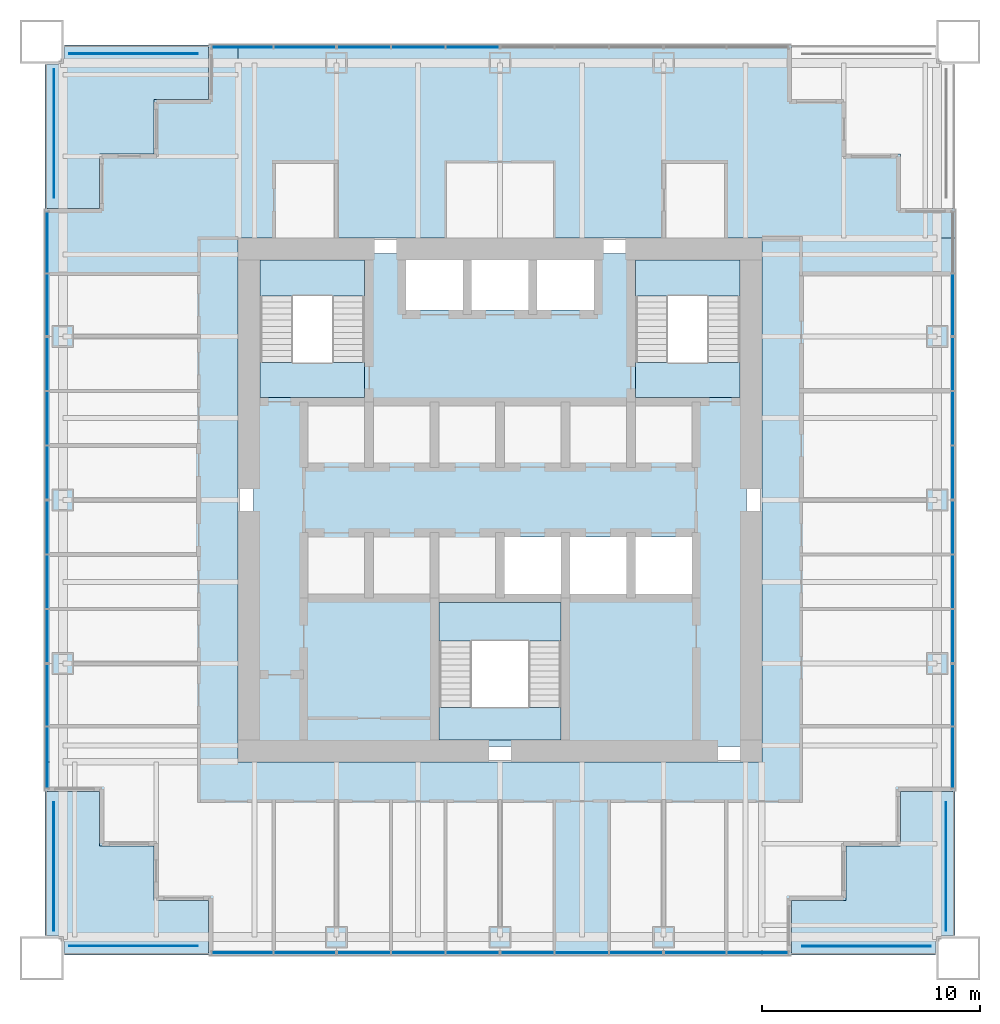
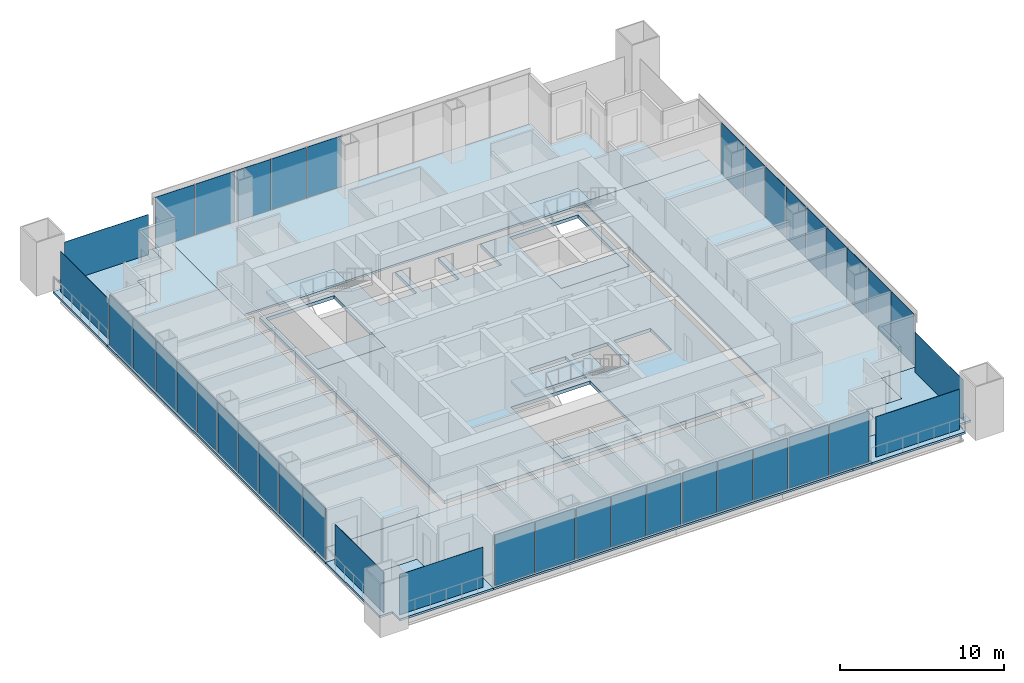
# One storey, part 8 of 15: 40 plates, 14 slabs, 17 elements without a shape of their own.
"""IFC4 building model written with IfcOpenShell, lengths in metres."""

from ifc_helpers import new_model, si_unit, direction, frame, origin, origin_2d, place, context, subcontext, project, spatial, polyline, rectangle, outline, extrude, material, layer, layer_set, type_object, element, aggregate, save


model = new_model("IFC4")

# Units and contexts
model_context = context("Model", 3, precision=1e-05, world=origin(), true_north=direction((0.0, 1.0)))
body_context = subcontext(model_context, "Body", "Model", "MODEL_VIEW")
ifc_project = project(units=[si_unit("LENGTHUNIT", "METRE"), si_unit("AREAUNIT", "SQUARE_METRE"), si_unit("VOLUMEUNIT", "CUBIC_METRE"), si_unit("PLANEANGLEUNIT", "RADIAN"), si_unit("MASSUNIT", "GRAM", prefix="KILO")], contexts=[model_context])

# Site, building, storey
site_placement = place(None, origin())
site = spatial("IfcSite", under=ifc_project, at=site_placement, CompositionType="ELEMENT")
building_placement = place(site_placement, origin())
building = spatial("IfcBuilding", under=site, at=building_placement, Name="Tarangal Relay Tower", CompositionType="ELEMENT")
storey_placement = place(building_placement, frame((0.0, 0.0, 299.89990234375)))
storey = spatial("IfcBuildingStorey", under=building, at=storey_placement, Name="L66", CompositionType="ELEMENT", Elevation=299.89990234375)

# Slabs
ifc_material_1 = material(Name="Concrete fc' 35 MPa", Category="concrete")
ifc_layer_1 = layer(ifc_material_1, 0.25)
ifc_layer_set_1 = layer_set([ifc_layer_1], Name="Core floor slab 250")
slab_type_1 = type_object("IfcSlabType", Name="Core floor slab 250", PredefinedType="FLOOR", material=ifc_layer_set_1)
slab_1_placement = place(storey_placement, frame((0.0, 0.0, -0.25)))
element("IfcSlab", 1, at=slab_1_placement, inside=storey, type_object=slab_type_1, Name="Core floor slab L66", PredefinedType="FLOOR", context=body_context, shape_type="SweptSolid", body=[
    extrude(outline(polyline([(11.300048828125, 11.300048828125), (11.300048828125, -11.300048828125), (-11.300048828125, -11.300048828125), (-11.300048828125, 11.300048828125), (-4.300048828125, 11.300048828125), (-4.300048828125, 8.699951171875), (-1.699951171875, 8.699951171875), (-1.699951171875, 11.300048828125), (-1.300048828125, 11.300048828125), (-1.300048828125, 8.699951171875), (1.300048828125, 8.699951171875), (1.300048828125, 11.300048828125), (1.699951171875, 11.300048828125), (1.699951171875, 8.699951171875), (4.300048828125, 8.699951171875), (4.300048828125, 11.300048828125), (11.300048828125, 11.300048828125)]), holes=[polyline([(2.800048828125, -4.699951171875), (-2.800048828125, -4.699951171875), (-2.800048828125, -11.0), (2.800048828125, -11.0), (2.800048828125, -4.699951171875)]), polyline([(2.800048828125, -1.699951171875), (0.199951171875, -1.699951171875), (0.199951171875, -4.300048828125), (2.800048828125, -4.300048828125), (2.800048828125, -1.699951171875)]), polyline([(5.800048828125, -1.699951171875), (3.199951171875, -1.699951171875), (3.199951171875, -4.300048828125), (5.800048828125, -4.300048828125), (5.800048828125, -1.699951171875)]), polyline([(8.800048828125, -1.699951171875), (6.199951171875, -1.699951171875), (6.199951171875, -4.300048828125), (8.800048828125, -4.300048828125), (8.800048828125, -1.699951171875)]), polyline([(-6.199951171875, 11.0), (-11.0, 11.0), (-11.0, 4.699951171875), (-6.199951171875, 4.699951171875), (-6.199951171875, 11.0)]), polyline([(11.0, 11.0), (6.199951171875, 11.0), (6.199951171875, 4.699951171875), (11.0, 4.699951171875), (11.0, 11.0)])]), origin(), (0.0, 0.0, 1.0), 0.25),
])
ifc_layer_2 = layer(ifc_material_1, 0.14990234375)
ifc_layer_set_2 = layer_set([ifc_layer_2], Name="Floor slab 150")
slab_type_2 = type_object("IfcSlabType", Name="Floor slab 150", PredefinedType="FLOOR", material=ifc_layer_set_2)
slab_2_placement = place(storey_placement, frame((0.0, 0.0, -0.14990234375)))
element("IfcSlab", 2, at=slab_2_placement, inside=storey, type_object=slab_type_2, Name="Floor slab FS3 L66 north bay", PredefinedType="FLOOR", context=body_context, shape_type="SweptSolid", body=[
    extrude(outline(polyline([(13.35009765625, 20.85009765625), (13.35009765625, 18.35009765625), (15.85009765625, 18.35009765625), (15.85009765625, 15.85009765625), (18.35009765625, 15.85009765625), (18.35009765625, 13.35009765625), (20.85009765625, 13.35009765625), (20.85009765625, 12.0), (-12.0, 12.0), (-12.0, 20.85009765625), (13.35009765625, 20.85009765625)])), origin(), (0.0, 0.0, 1.0), 0.14990234375),
])
slab_3_placement = place(storey_placement, frame((0.0, 0.0, -0.14990234375)))
element("IfcSlab", 3, at=slab_3_placement, inside=storey, type_object=slab_type_2, Name="Floor slab FS3 L66 east bay", PredefinedType="FLOOR", context=body_context, shape_type="SweptSolid", body=[
    extrude(outline(polyline([(20.85009765625, -13.35009765625), (18.35009765625, -13.35009765625), (18.35009765625, -15.85009765625), (15.85009765625, -15.85009765625), (15.85009765625, -18.35009765625), (13.35009765625, -18.35009765625), (13.35009765625, -20.85009765625), (12.0, -20.85009765625), (12.0, 12.0), (20.85009765625, 12.0), (20.85009765625, -13.35009765625)])), origin(), (0.0, 0.0, 1.0), 0.14990234375),
])
slab_4_placement = place(storey_placement, frame((0.0, 0.0, -0.14990234375)))
element("IfcSlab", 4, at=slab_4_placement, inside=storey, type_object=slab_type_2, Name="Floor slab FS3 L66 south bay", PredefinedType="FLOOR", context=body_context, shape_type="SweptSolid", body=[
    extrude(outline(polyline([(-13.35009765625, -20.85009765625), (-13.35009765625, -18.35009765625), (-15.85009765625, -18.35009765625), (-15.85009765625, -15.85009765625), (-18.35009765625, -15.85009765625), (-18.35009765625, -13.35009765625), (-20.85009765625, -13.35009765625), (-20.85009765625, -12.0), (12.0, -12.0), (12.0, -20.85009765625), (-13.35009765625, -20.85009765625)])), origin(), (0.0, 0.0, 1.0), 0.14990234375),
])
slab_5_placement = place(storey_placement, frame((0.0, 0.0, -0.14990234375)))
element("IfcSlab", 5, at=slab_5_placement, inside=storey, type_object=slab_type_2, Name="Floor slab FS3 L66 west bay", PredefinedType="FLOOR", context=body_context, shape_type="SweptSolid", body=[
    extrude(outline(polyline([(-12.0, 20.85009765625), (-12.0, -12.0), (-20.85009765625, -12.0), (-20.85009765625, 13.35009765625), (-18.35009765625, 13.35009765625), (-18.35009765625, 15.85009765625), (-15.85009765625, 15.85009765625), (-15.85009765625, 18.35009765625), (-13.35009765625, 18.35009765625), (-13.35009765625, 20.85009765625), (-12.0, 20.85009765625)])), origin(), (0.0, 0.0, 1.0), 0.14990234375),
])

# Curtain wall, plates
ifc_material_2 = material(Name="Unitised curtain wall, dark glass and black aluminium", Category="aluminium")
curtain_wall_type = type_object("IfcCurtainWallType", Name="Curtain wall CW-B", PredefinedType="USERDEFINED", material=ifc_material_2)
curtain_wall_1_placement = place(storey_placement, origin())
curtain_wall_1 = element("IfcCurtainWall", 6, at=curtain_wall_1_placement, inside=storey, type_object=curtain_wall_type, Name="Curtain wall CW-B N facade L66", ObjectType="UNITISED CURTAIN WALL", PredefinedType="USERDEFINED")
ifc_material_3 = material(Name="Dark tinted insulated glass unit", Category="glass")
ifc_layer_3 = layer(ifc_material_3, 0.030029296875)
ifc_layer_set_3 = layer_set([ifc_layer_3], Name="Glazed panel CW-B 30")
plate_type_1 = type_object("IfcPlateType", Name="Glazed panel CW-B 30", PredefinedType="CURTAIN_PANEL", material=ifc_layer_set_3)
plate_1_placement = place(storey_placement, frame((-11.797607421875, 20.75, 0.06005859375), z_axis=(0.0, 0.0, 1.0), x_axis=(1.0, 0.0, 0.0)))
plate_1 = element("IfcPlate", 7, at=plate_1_placement, type_object=plate_type_1, Name="CW-B panel 1.1", PredefinedType="CURTAIN_PANEL", context=body_context, shape_type="SweptSolid", body=[
    extrude(rectangle(XDim=2.784912109375, YDim=0.030029296875, at=origin_2d()), origin(), (0.0, 0.0, 1.0), 3.7900390625),
])
plate_2_placement = place(storey_placement, frame((-8.952392578125, 20.75, 0.06005859375), z_axis=(0.0, 0.0, 1.0), x_axis=(1.0, 0.0, 0.0)))
plate_2 = element("IfcPlate", 8, at=plate_2_placement, type_object=plate_type_1, Name="CW-B panel 2.1", PredefinedType="CURTAIN_PANEL", context=body_context, shape_type="SweptSolid", body=[
    extrude(rectangle(XDim=2.784912109375, YDim=0.030029296875, at=origin_2d()), origin(), (0.0, 0.0, 1.0), 3.7900390625),
])
aggregate(curtain_wall_1, [plate_1, plate_2])

curtain_wall_2_placement = place(storey_placement, origin())
curtain_wall_2 = element("IfcCurtainWall", 9, at=curtain_wall_2_placement, inside=storey, type_object=curtain_wall_type, Name="Curtain wall CW-B N facade L66", ObjectType="UNITISED CURTAIN WALL", PredefinedType="USERDEFINED")
plate_3_placement = place(storey_placement, frame((-6.235107421875, 20.75, 0.06005859375), z_axis=(0.0, 0.0, 1.0), x_axis=(1.0, 0.0, 0.0)))
plate_3 = element("IfcPlate", 10, at=plate_3_placement, type_object=plate_type_1, Name="CW-B panel 1.1", PredefinedType="CURTAIN_PANEL", context=body_context, shape_type="SweptSolid", body=[
    extrude(rectangle(XDim=2.409912109375, YDim=0.030029296875, at=origin_2d()), origin(), (0.0, 0.0, 1.0), 3.7900390625),
])
plate_4_placement = place(storey_placement, frame((-3.75, 20.75, 0.06005859375), z_axis=(0.0, 0.0, 1.0), x_axis=(1.0, 0.0, 0.0)))
plate_4 = element("IfcPlate", 11, at=plate_4_placement, type_object=plate_type_1, Name="CW-B panel 2.1", PredefinedType="CURTAIN_PANEL", context=body_context, shape_type="SweptSolid", body=[
    extrude(rectangle(XDim=2.43994140625, YDim=0.030029296875, at=origin_2d()), origin(), (0.0, 0.0, 1.0), 3.7900390625),
])
plate_5_placement = place(storey_placement, frame((-1.264892578125, 20.75, 0.06005859375), z_axis=(0.0, 0.0, 1.0), x_axis=(1.0, 0.0, 0.0)))
plate_5 = element("IfcPlate", 12, at=plate_5_placement, type_object=plate_type_1, Name="CW-B panel 3.1", PredefinedType="CURTAIN_PANEL", context=body_context, shape_type="SweptSolid", body=[
    extrude(rectangle(XDim=2.409912109375, YDim=0.030029296875, at=origin_2d()), origin(), (0.0, 0.0, 1.0), 3.7900390625),
])
aggregate(curtain_wall_2, [plate_3, plate_4, plate_5])

# Curtain wall, plate
curtain_wall_3_placement = place(storey_placement, origin())
curtain_wall_3 = element("IfcCurtainWall", 13, at=curtain_wall_3_placement, inside=storey, type_object=curtain_wall_type, Name="Curtain wall CW-B E facade L66", ObjectType="UNITISED CURTAIN WALL", PredefinedType="USERDEFINED")
plate_6_placement = place(storey_placement, frame((20.75, 8.952392578125, 0.06005859375), z_axis=(0.0, 0.0, 1.0), x_axis=(0.0, -1.0, 0.0)))
plate_6 = element("IfcPlate", 14, at=plate_6_placement, type_object=plate_type_1, Name="CW-B panel 2.1", PredefinedType="CURTAIN_PANEL", context=body_context, shape_type="SweptSolid", body=[
    extrude(rectangle(XDim=2.784912109375, YDim=0.030029296875, at=origin_2d()), origin(), (0.0, 0.0, 1.0), 3.7900390625),
])
aggregate(curtain_wall_3, [plate_6])

# Curtain wall, plates
curtain_wall_4_placement = place(storey_placement, origin())
curtain_wall_4 = element("IfcCurtainWall", 15, at=curtain_wall_4_placement, inside=storey, type_object=curtain_wall_type, Name="Curtain wall CW-B E facade L66", ObjectType="UNITISED CURTAIN WALL", PredefinedType="USERDEFINED")
plate_7_placement = place(storey_placement, frame((20.75, 6.235107421875, 0.06005859375), z_axis=(0.0, 0.0, 1.0), x_axis=(0.0, -1.0, 0.0)))
plate_7 = element("IfcPlate", 16, at=plate_7_placement, type_object=plate_type_1, Name="CW-B panel 1.1", PredefinedType="CURTAIN_PANEL", context=body_context, shape_type="SweptSolid", body=[
    extrude(rectangle(XDim=2.409912109375, YDim=0.030029296875, at=origin_2d()), origin(), (0.0, 0.0, 1.0), 3.7900390625),
])
plate_8_placement = place(storey_placement, frame((20.75, 3.75, 0.06005859375), z_axis=(0.0, 0.0, 1.0), x_axis=(0.0, -1.0, 0.0)))
plate_8 = element("IfcPlate", 17, at=plate_8_placement, type_object=plate_type_1, Name="CW-B panel 2.1", PredefinedType="CURTAIN_PANEL", context=body_context, shape_type="SweptSolid", body=[
    extrude(rectangle(XDim=2.43994140625, YDim=0.030029296875, at=origin_2d()), origin(), (0.0, 0.0, 1.0), 3.7900390625),
])
plate_9_placement = place(storey_placement, frame((20.75, 1.264892578125, 0.06005859375), z_axis=(0.0, 0.0, 1.0), x_axis=(0.0, -1.0, 0.0)))
plate_9 = element("IfcPlate", 18, at=plate_9_placement, type_object=plate_type_1, Name="CW-B panel 3.1", PredefinedType="CURTAIN_PANEL", context=body_context, shape_type="SweptSolid", body=[
    extrude(rectangle(XDim=2.409912109375, YDim=0.030029296875, at=origin_2d()), origin(), (0.0, 0.0, 1.0), 3.7900390625),
])
aggregate(curtain_wall_4, [plate_7, plate_8, plate_9])

curtain_wall_5_placement = place(storey_placement, origin())
curtain_wall_5 = element("IfcCurtainWall", 19, at=curtain_wall_5_placement, inside=storey, type_object=curtain_wall_type, Name="Curtain wall CW-B E facade L66", ObjectType="UNITISED CURTAIN WALL", PredefinedType="USERDEFINED")
plate_10_placement = place(storey_placement, frame((20.75, -1.264892578125, 0.06005859375), z_axis=(0.0, 0.0, 1.0), x_axis=(0.0, -1.0, 0.0)))
plate_10 = element("IfcPlate", 20, at=plate_10_placement, type_object=plate_type_1, Name="CW-B panel 1.1", PredefinedType="CURTAIN_PANEL", context=body_context, shape_type="SweptSolid", body=[
    extrude(rectangle(XDim=2.409912109375, YDim=0.030029296875, at=origin_2d()), origin(), (0.0, 0.0, 1.0), 3.7900390625),
])
plate_11_placement = place(storey_placement, frame((20.75, -3.75, 0.06005859375), z_axis=(0.0, 0.0, 1.0), x_axis=(0.0, -1.0, 0.0)))
plate_11 = element("IfcPlate", 21, at=plate_11_placement, type_object=plate_type_1, Name="CW-B panel 2.1", PredefinedType="CURTAIN_PANEL", context=body_context, shape_type="SweptSolid", body=[
    extrude(rectangle(XDim=2.43994140625, YDim=0.030029296875, at=origin_2d()), origin(), (0.0, 0.0, 1.0), 3.7900390625),
])
plate_12_placement = place(storey_placement, frame((20.75, -6.235107421875, 0.06005859375), z_axis=(0.0, 0.0, 1.0), x_axis=(0.0, -1.0, 0.0)))
plate_12 = element("IfcPlate", 22, at=plate_12_placement, type_object=plate_type_1, Name="CW-B panel 3.1", PredefinedType="CURTAIN_PANEL", context=body_context, shape_type="SweptSolid", body=[
    extrude(rectangle(XDim=2.409912109375, YDim=0.030029296875, at=origin_2d()), origin(), (0.0, 0.0, 1.0), 3.7900390625),
])
aggregate(curtain_wall_5, [plate_10, plate_11, plate_12])

curtain_wall_6_placement = place(storey_placement, origin())
curtain_wall_6 = element("IfcCurtainWall", 23, at=curtain_wall_6_placement, inside=storey, type_object=curtain_wall_type, Name="Curtain wall CW-B E facade L66", ObjectType="UNITISED CURTAIN WALL", PredefinedType="USERDEFINED")
plate_13_placement = place(storey_placement, frame((20.75, -8.952392578125, 0.06005859375), z_axis=(0.0, 0.0, 1.0), x_axis=(0.0, -1.0, 0.0)))
plate_13 = element("IfcPlate", 24, at=plate_13_placement, type_object=plate_type_1, Name="CW-B panel 1.1", PredefinedType="CURTAIN_PANEL", context=body_context, shape_type="SweptSolid", body=[
    extrude(rectangle(XDim=2.784912109375, YDim=0.030029296875, at=origin_2d()), origin(), (0.0, 0.0, 1.0), 3.7900390625),
])
plate_14_placement = place(storey_placement, frame((20.75, -11.797607421875, 0.06005859375), z_axis=(0.0, 0.0, 1.0), x_axis=(0.0, -1.0, 0.0)))
plate_14 = element("IfcPlate", 25, at=plate_14_placement, type_object=plate_type_1, Name="CW-B panel 2.1", PredefinedType="CURTAIN_PANEL", context=body_context, shape_type="SweptSolid", body=[
    extrude(rectangle(XDim=2.784912109375, YDim=0.030029296875, at=origin_2d()), origin(), (0.0, 0.0, 1.0), 3.7900390625),
])
aggregate(curtain_wall_6, [plate_13, plate_14])

curtain_wall_7_placement = place(storey_placement, origin())
curtain_wall_7 = element("IfcCurtainWall", 26, at=curtain_wall_7_placement, inside=storey, type_object=curtain_wall_type, Name="Curtain wall CW-B S facade L66", ObjectType="UNITISED CURTAIN WALL", PredefinedType="USERDEFINED")
plate_15_placement = place(storey_placement, frame((11.797607421875, -20.75, 0.06005859375), z_axis=(0.0, 0.0, 1.0), x_axis=(-1.0, 0.0, 0.0)))
plate_15 = element("IfcPlate", 27, at=plate_15_placement, type_object=plate_type_1, Name="CW-B panel 1.1", PredefinedType="CURTAIN_PANEL", context=body_context, shape_type="SweptSolid", body=[
    extrude(rectangle(XDim=2.784912109375, YDim=0.030029296875, at=origin_2d()), origin(), (0.0, 0.0, 1.0), 3.7900390625),
])
plate_16_placement = place(storey_placement, frame((8.952392578125, -20.75, 0.06005859375), z_axis=(0.0, 0.0, 1.0), x_axis=(-1.0, 0.0, 0.0)))
plate_16 = element("IfcPlate", 28, at=plate_16_placement, type_object=plate_type_1, Name="CW-B panel 2.1", PredefinedType="CURTAIN_PANEL", context=body_context, shape_type="SweptSolid", body=[
    extrude(rectangle(XDim=2.784912109375, YDim=0.030029296875, at=origin_2d()), origin(), (0.0, 0.0, 1.0), 3.7900390625),
])
aggregate(curtain_wall_7, [plate_15, plate_16])

curtain_wall_8_placement = place(storey_placement, origin())
curtain_wall_8 = element("IfcCurtainWall", 29, at=curtain_wall_8_placement, inside=storey, type_object=curtain_wall_type, Name="Curtain wall CW-B S facade L66", ObjectType="UNITISED CURTAIN WALL", PredefinedType="USERDEFINED")
plate_17_placement = place(storey_placement, frame((6.235107421875, -20.75, 0.06005859375), z_axis=(0.0, 0.0, 1.0), x_axis=(-1.0, 0.0, 0.0)))
plate_17 = element("IfcPlate", 30, at=plate_17_placement, type_object=plate_type_1, Name="CW-B panel 1.1", PredefinedType="CURTAIN_PANEL", context=body_context, shape_type="SweptSolid", body=[
    extrude(rectangle(XDim=2.409912109375, YDim=0.030029296875, at=origin_2d()), origin(), (0.0, 0.0, 1.0), 3.7900390625),
])
plate_18_placement = place(storey_placement, frame((3.75, -20.75, 0.06005859375), z_axis=(0.0, 0.0, 1.0), x_axis=(-1.0, 0.0, 0.0)))
plate_18 = element("IfcPlate", 31, at=plate_18_placement, type_object=plate_type_1, Name="CW-B panel 2.1", PredefinedType="CURTAIN_PANEL", context=body_context, shape_type="SweptSolid", body=[
    extrude(rectangle(XDim=2.43994140625, YDim=0.030029296875, at=origin_2d()), origin(), (0.0, 0.0, 1.0), 3.7900390625),
])
plate_19_placement = place(storey_placement, frame((1.264892578125, -20.75, 0.06005859375), z_axis=(0.0, 0.0, 1.0), x_axis=(-1.0, 0.0, 0.0)))
plate_19 = element("IfcPlate", 32, at=plate_19_placement, type_object=plate_type_1, Name="CW-B panel 3.1", PredefinedType="CURTAIN_PANEL", context=body_context, shape_type="SweptSolid", body=[
    extrude(rectangle(XDim=2.409912109375, YDim=0.030029296875, at=origin_2d()), origin(), (0.0, 0.0, 1.0), 3.7900390625),
])
aggregate(curtain_wall_8, [plate_17, plate_18, plate_19])

curtain_wall_9_placement = place(storey_placement, origin())
curtain_wall_9 = element("IfcCurtainWall", 33, at=curtain_wall_9_placement, inside=storey, type_object=curtain_wall_type, Name="Curtain wall CW-B S facade L66", ObjectType="UNITISED CURTAIN WALL", PredefinedType="USERDEFINED")
plate_20_placement = place(storey_placement, frame((-1.264892578125, -20.75, 0.06005859375), z_axis=(0.0, 0.0, 1.0), x_axis=(-1.0, 0.0, 0.0)))
plate_20 = element("IfcPlate", 34, at=plate_20_placement, type_object=plate_type_1, Name="CW-B panel 1.1", PredefinedType="CURTAIN_PANEL", context=body_context, shape_type="SweptSolid", body=[
    extrude(rectangle(XDim=2.409912109375, YDim=0.030029296875, at=origin_2d()), origin(), (0.0, 0.0, 1.0), 3.7900390625),
])
plate_21_placement = place(storey_placement, frame((-3.75, -20.75, 0.06005859375), z_axis=(0.0, 0.0, 1.0), x_axis=(-1.0, 0.0, 0.0)))
plate_21 = element("IfcPlate", 35, at=plate_21_placement, type_object=plate_type_1, Name="CW-B panel 2.1", PredefinedType="CURTAIN_PANEL", context=body_context, shape_type="SweptSolid", body=[
    extrude(rectangle(XDim=2.43994140625, YDim=0.030029296875, at=origin_2d()), origin(), (0.0, 0.0, 1.0), 3.7900390625),
])
plate_22_placement = place(storey_placement, frame((-6.235107421875, -20.75, 0.06005859375), z_axis=(0.0, 0.0, 1.0), x_axis=(-1.0, 0.0, 0.0)))
plate_22 = element("IfcPlate", 36, at=plate_22_placement, type_object=plate_type_1, Name="CW-B panel 3.1", PredefinedType="CURTAIN_PANEL", context=body_context, shape_type="SweptSolid", body=[
    extrude(rectangle(XDim=2.409912109375, YDim=0.030029296875, at=origin_2d()), origin(), (0.0, 0.0, 1.0), 3.7900390625),
])
aggregate(curtain_wall_9, [plate_20, plate_21, plate_22])

curtain_wall_10_placement = place(storey_placement, origin())
curtain_wall_10 = element("IfcCurtainWall", 37, at=curtain_wall_10_placement, inside=storey, type_object=curtain_wall_type, Name="Curtain wall CW-B S facade L66", ObjectType="UNITISED CURTAIN WALL", PredefinedType="USERDEFINED")
plate_23_placement = place(storey_placement, frame((-8.952392578125, -20.75, 0.06005859375), z_axis=(0.0, 0.0, 1.0), x_axis=(-1.0, 0.0, 0.0)))
plate_23 = element("IfcPlate", 38, at=plate_23_placement, type_object=plate_type_1, Name="CW-B panel 1.1", PredefinedType="CURTAIN_PANEL", context=body_context, shape_type="SweptSolid", body=[
    extrude(rectangle(XDim=2.784912109375, YDim=0.030029296875, at=origin_2d()), origin(), (0.0, 0.0, 1.0), 3.7900390625),
])
plate_24_placement = place(storey_placement, frame((-11.797607421875, -20.75, 0.06005859375), z_axis=(0.0, 0.0, 1.0), x_axis=(-1.0, 0.0, 0.0)))
plate_24 = element("IfcPlate", 39, at=plate_24_placement, type_object=plate_type_1, Name="CW-B panel 2.1", PredefinedType="CURTAIN_PANEL", context=body_context, shape_type="SweptSolid", body=[
    extrude(rectangle(XDim=2.784912109375, YDim=0.030029296875, at=origin_2d()), origin(), (0.0, 0.0, 1.0), 3.7900390625),
])
aggregate(curtain_wall_10, [plate_23, plate_24])

curtain_wall_11_placement = place(storey_placement, origin())
curtain_wall_11 = element("IfcCurtainWall", 40, at=curtain_wall_11_placement, inside=storey, type_object=curtain_wall_type, Name="Curtain wall CW-B W facade L66", ObjectType="UNITISED CURTAIN WALL", PredefinedType="USERDEFINED")
plate_25_placement = place(storey_placement, frame((-20.75, -11.797607421875, 0.06005859375), z_axis=(0.0, 0.0, 1.0), x_axis=(0.0, 1.0, 0.0)))
plate_25 = element("IfcPlate", 41, at=plate_25_placement, type_object=plate_type_1, Name="CW-B panel 1.1", PredefinedType="CURTAIN_PANEL", context=body_context, shape_type="SweptSolid", body=[
    extrude(rectangle(XDim=2.784912109375, YDim=0.030029296875, at=origin_2d()), origin(), (0.0, 0.0, 1.0), 3.7900390625),
])
plate_26_placement = place(storey_placement, frame((-20.75, -8.952392578125, 0.06005859375), z_axis=(0.0, 0.0, 1.0), x_axis=(0.0, 1.0, 0.0)))
plate_26 = element("IfcPlate", 42, at=plate_26_placement, type_object=plate_type_1, Name="CW-B panel 2.1", PredefinedType="CURTAIN_PANEL", context=body_context, shape_type="SweptSolid", body=[
    extrude(rectangle(XDim=2.784912109375, YDim=0.030029296875, at=origin_2d()), origin(), (0.0, 0.0, 1.0), 3.7900390625),
])
aggregate(curtain_wall_11, [plate_25, plate_26])

curtain_wall_12_placement = place(storey_placement, origin())
curtain_wall_12 = element("IfcCurtainWall", 43, at=curtain_wall_12_placement, inside=storey, type_object=curtain_wall_type, Name="Curtain wall CW-B W facade L66", ObjectType="UNITISED CURTAIN WALL", PredefinedType="USERDEFINED")
plate_27_placement = place(storey_placement, frame((-20.75, -6.235107421875, 0.06005859375), z_axis=(0.0, 0.0, 1.0), x_axis=(0.0, 1.0, 0.0)))
plate_27 = element("IfcPlate", 44, at=plate_27_placement, type_object=plate_type_1, Name="CW-B panel 1.1", PredefinedType="CURTAIN_PANEL", context=body_context, shape_type="SweptSolid", body=[
    extrude(rectangle(XDim=2.409912109375, YDim=0.030029296875, at=origin_2d()), origin(), (0.0, 0.0, 1.0), 3.7900390625),
])
plate_28_placement = place(storey_placement, frame((-20.75, -3.75, 0.06005859375), z_axis=(0.0, 0.0, 1.0), x_axis=(0.0, 1.0, 0.0)))
plate_28 = element("IfcPlate", 45, at=plate_28_placement, type_object=plate_type_1, Name="CW-B panel 2.1", PredefinedType="CURTAIN_PANEL", context=body_context, shape_type="SweptSolid", body=[
    extrude(rectangle(XDim=2.43994140625, YDim=0.030029296875, at=origin_2d()), origin(), (0.0, 0.0, 1.0), 3.7900390625),
])
plate_29_placement = place(storey_placement, frame((-20.75, -1.264892578125, 0.06005859375), z_axis=(0.0, 0.0, 1.0), x_axis=(0.0, 1.0, 0.0)))
plate_29 = element("IfcPlate", 46, at=plate_29_placement, type_object=plate_type_1, Name="CW-B panel 3.1", PredefinedType="CURTAIN_PANEL", context=body_context, shape_type="SweptSolid", body=[
    extrude(rectangle(XDim=2.409912109375, YDim=0.030029296875, at=origin_2d()), origin(), (0.0, 0.0, 1.0), 3.7900390625),
])
aggregate(curtain_wall_12, [plate_27, plate_28, plate_29])

curtain_wall_13_placement = place(storey_placement, origin())
curtain_wall_13 = element("IfcCurtainWall", 47, at=curtain_wall_13_placement, inside=storey, type_object=curtain_wall_type, Name="Curtain wall CW-B W facade L66", ObjectType="UNITISED CURTAIN WALL", PredefinedType="USERDEFINED")
plate_30_placement = place(storey_placement, frame((-20.75, 1.264892578125, 0.06005859375), z_axis=(0.0, 0.0, 1.0), x_axis=(0.0, 1.0, 0.0)))
plate_30 = element("IfcPlate", 48, at=plate_30_placement, type_object=plate_type_1, Name="CW-B panel 1.1", PredefinedType="CURTAIN_PANEL", context=body_context, shape_type="SweptSolid", body=[
    extrude(rectangle(XDim=2.409912109375, YDim=0.030029296875, at=origin_2d()), origin(), (0.0, 0.0, 1.0), 3.7900390625),
])
plate_31_placement = place(storey_placement, frame((-20.75, 3.75, 0.06005859375), z_axis=(0.0, 0.0, 1.0), x_axis=(0.0, 1.0, 0.0)))
plate_31 = element("IfcPlate", 49, at=plate_31_placement, type_object=plate_type_1, Name="CW-B panel 2.1", PredefinedType="CURTAIN_PANEL", context=body_context, shape_type="SweptSolid", body=[
    extrude(rectangle(XDim=2.43994140625, YDim=0.030029296875, at=origin_2d()), origin(), (0.0, 0.0, 1.0), 3.7900390625),
])
plate_32_placement = place(storey_placement, frame((-20.75, 6.235107421875, 0.06005859375), z_axis=(0.0, 0.0, 1.0), x_axis=(0.0, 1.0, 0.0)))
plate_32 = element("IfcPlate", 50, at=plate_32_placement, type_object=plate_type_1, Name="CW-B panel 3.1", PredefinedType="CURTAIN_PANEL", context=body_context, shape_type="SweptSolid", body=[
    extrude(rectangle(XDim=2.409912109375, YDim=0.030029296875, at=origin_2d()), origin(), (0.0, 0.0, 1.0), 3.7900390625),
])
aggregate(curtain_wall_13, [plate_30, plate_31, plate_32])

curtain_wall_14_placement = place(storey_placement, origin())
curtain_wall_14 = element("IfcCurtainWall", 51, at=curtain_wall_14_placement, inside=storey, type_object=curtain_wall_type, Name="Curtain wall CW-B W facade L66", ObjectType="UNITISED CURTAIN WALL", PredefinedType="USERDEFINED")
plate_33_placement = place(storey_placement, frame((-20.75, 8.952392578125, 0.06005859375), z_axis=(0.0, 0.0, 1.0), x_axis=(0.0, 1.0, 0.0)))
plate_33 = element("IfcPlate", 52, at=plate_33_placement, type_object=plate_type_1, Name="CW-B panel 1.1", PredefinedType="CURTAIN_PANEL", context=body_context, shape_type="SweptSolid", body=[
    extrude(rectangle(XDim=2.784912109375, YDim=0.030029296875, at=origin_2d()), origin(), (0.0, 0.0, 1.0), 3.7900390625),
])
plate_34_placement = place(storey_placement, frame((-20.75, 11.797607421875, 0.06005859375), z_axis=(0.0, 0.0, 1.0), x_axis=(0.0, 1.0, 0.0)))
plate_34 = element("IfcPlate", 53, at=plate_34_placement, type_object=plate_type_1, Name="CW-B panel 2.1", PredefinedType="CURTAIN_PANEL", context=body_context, shape_type="SweptSolid", body=[
    extrude(rectangle(XDim=2.784912109375, YDim=0.030029296875, at=origin_2d()), origin(), (0.0, 0.0, 1.0), 3.7900390625),
])
aggregate(curtain_wall_14, [plate_33, plate_34])

# Plates
ifc_material_4 = material(Name="Black stainless steel cable trellis with climbing planting", Category="steel")
ifc_layer_4 = layer(ifc_material_4, 0.030029296875)
ifc_layer_set_4 = layer_set([ifc_layer_4], Name="Planted trellis screen")
plate_type_2 = type_object("IfcPlateType", Name="Planted trellis screen", PredefinedType="SHEET", material=ifc_layer_set_4)
for number, where, z_axis, x_axis, name in (
    (54, (16.800048828125, -20.449951171875, 0.0), (0.0, 0.0, 1.0), (-1.0, 0.0, 0.0), "Planted trellis SC2 SE L66"),
    (55, (-20.449951171875, -16.800048828125, 0.0), (0.0, 0.0, 1.0), (0.0, 1.0, 0.0), "Planted trellis SC2 SW L66"),
    (56, (-16.800048828125, 20.449951171875, 0.0), (0.0, 0.0, 1.0), (1.0, 0.0, 0.0), "Planted trellis SC2 NW L66"),
):
    element("IfcPlate", number, at=place(storey_placement, frame(where, z_axis=z_axis, x_axis=x_axis)), inside=storey, type_object=plate_type_2, Name=name, PredefinedType="SHEET", context=body_context, shape_type="SweptSolid", body=[
        extrude(rectangle(XDim=5.89990234375, YDim=0.030029296875, at=origin_2d()), origin(), (0.0, 0.0, 1.0), 3.0),
    ])

# Stair, slabs
ifc_material_5 = material(Name="Steel ASTM A992 stair flight", Category="steel")
stair_type = type_object("IfcStairType", Name="Core stair 1500", PredefinedType="HALF_TURN_STAIR", material=ifc_material_5)
stair_1_placement = place(storey_placement, origin())
stair_1 = element("IfcStair", 57, at=stair_1_placement, inside=storey, type_object=stair_type, Name="Stair ST-A L66", PredefinedType="HALF_TURN_STAIR")
ifc_layer_5 = layer(ifc_material_1, 0.199951171875)
ifc_layer_set_5 = layer_set([ifc_layer_5], Name="Stair landing 200")
slab_type_3 = type_object("IfcSlabType", Name="Stair landing 200", PredefinedType="LANDING", material=ifc_layer_set_5)
slab_6_placement = place(storey_placement, frame((0.0, 0.0, -0.199951171875)))
slab_6 = element("IfcSlab", 58, at=slab_6_placement, type_object=slab_type_3, Name="ST-A landing 1", PredefinedType="LANDING", context=body_context, shape_type="SweptSolid", body=[
    extrude(outline(polyline([(-11.0, 4.699951171875), (-6.199951171875, 4.699951171875), (-6.199951171875, 6.300048828125), (-11.0, 6.300048828125), (-11.0, 4.699951171875)])), origin(), (0.0, 0.0, 1.0), 0.199951171875),
])
slab_7_placement = place(storey_placement, frame((0.0, 0.0, 1.800048828125)))
slab_7 = element("IfcSlab", 59, at=slab_7_placement, type_object=slab_type_3, Name="ST-A landing 2", PredefinedType="LANDING", context=body_context, shape_type="SweptSolid", body=[
    extrude(outline(polyline([(-11.0, 9.346923828125), (-6.199951171875, 9.346923828125), (-6.199951171875, 11.0), (-11.0, 11.0), (-11.0, 9.346923828125)])), origin(), (0.0, 0.0, 1.0), 0.199951171875),
])
aggregate(stair_1, [slab_6, slab_7])

stair_2_placement = place(storey_placement, origin())
stair_2 = element("IfcStair", 60, at=stair_2_placement, inside=storey, type_object=stair_type, Name="Stair ST-B L66", PredefinedType="HALF_TURN_STAIR")
slab_8_placement = place(storey_placement, frame((0.0, 0.0, -0.199951171875)))
slab_8 = element("IfcSlab", 61, at=slab_8_placement, type_object=slab_type_3, Name="ST-B landing 1", PredefinedType="LANDING", context=body_context, shape_type="SweptSolid", body=[
    extrude(outline(polyline([(6.199951171875, 4.699951171875), (11.0, 4.699951171875), (11.0, 6.300048828125), (6.199951171875, 6.300048828125), (6.199951171875, 4.699951171875)])), origin(), (0.0, 0.0, 1.0), 0.199951171875),
])
slab_9_placement = place(storey_placement, frame((0.0, 0.0, 1.800048828125)))
slab_9 = element("IfcSlab", 62, at=slab_9_placement, type_object=slab_type_3, Name="ST-B landing 2", PredefinedType="LANDING", context=body_context, shape_type="SweptSolid", body=[
    extrude(outline(polyline([(6.199951171875, 9.346923828125), (11.0, 9.346923828125), (11.0, 11.0), (6.199951171875, 11.0), (6.199951171875, 9.346923828125)])), origin(), (0.0, 0.0, 1.0), 0.199951171875),
])
aggregate(stair_2, [slab_8, slab_9])

stair_3_placement = place(storey_placement, origin())
stair_3 = element("IfcStair", 63, at=stair_3_placement, inside=storey, type_object=stair_type, Name="Stair ST-C L66", PredefinedType="HALF_TURN_STAIR")
slab_10_placement = place(storey_placement, frame((0.0, 0.0, -0.199951171875)))
slab_10 = element("IfcSlab", 64, at=slab_10_placement, type_object=slab_type_3, Name="ST-C landing 1", PredefinedType="LANDING", context=body_context, shape_type="SweptSolid", body=[
    extrude(outline(polyline([(-2.800048828125, -11.0), (2.800048828125, -11.0), (2.800048828125, -9.5), (-2.800048828125, -9.5), (-2.800048828125, -11.0)])), origin(), (0.0, 0.0, 1.0), 0.199951171875),
])
slab_11_placement = place(storey_placement, frame((0.0, 0.0, 1.800048828125)))
slab_11 = element("IfcSlab", 65, at=slab_11_placement, type_object=slab_type_3, Name="ST-C landing 2", PredefinedType="LANDING", context=body_context, shape_type="SweptSolid", body=[
    extrude(outline(polyline([(-2.800048828125, -6.452880859375), (2.800048828125, -6.452880859375), (2.800048828125, -4.699951171875), (-2.800048828125, -4.699951171875), (-2.800048828125, -6.452880859375)])), origin(), (0.0, 0.0, 1.0), 0.199951171875),
])
aggregate(stair_3, [slab_10, slab_11])

# Plates
ifc_material_6 = material(Name="Perforated black aluminium screen", Category="aluminium")
ifc_layer_6 = layer(ifc_material_6, 0.02001953125)
ifc_layer_set_6 = layer_set([ifc_layer_6], Name="Terrace screen panel")
plate_type_3 = type_object("IfcPlateType", Name="Terrace screen panel", PredefinedType="SHEET", material=ifc_layer_set_6)
for number, where, z_axis, x_axis, name in (
    (66, (20.449951171875, -16.800048828125, 0.0), (0.0, 0.0, 1.0), (0.0, -1.0, 0.0), "Terrace screen SC1 SE L66"),
    (67, (-16.800048828125, -20.449951171875, 0.0), (0.0, 0.0, 1.0), (-1.0, 0.0, 0.0), "Terrace screen SC1 SW L66"),
    (68, (-20.449951171875, 16.800048828125, 0.0), (0.0, 0.0, 1.0), (0.0, 1.0, 0.0), "Terrace screen SC1 NW L66"),
):
    element("IfcPlate", number, at=place(storey_placement, frame(where, z_axis=z_axis, x_axis=x_axis)), inside=storey, type_object=plate_type_3, Name=name, PredefinedType="SHEET", context=body_context, shape_type="SweptSolid", body=[
        extrude(rectangle(XDim=5.89990234375, YDim=0.02001953125, at=origin_2d()), origin(), (0.0, 0.0, 1.0), 3.0),
    ])

# Slabs
ifc_layer_7 = layer(ifc_material_1, 0.14990234375)
ifc_layer_set_7 = layer_set([ifc_layer_7], Name="Terrace slab 150")
slab_type_4 = type_object("IfcSlabType", Name="Terrace slab 150", PredefinedType="FLOOR", material=ifc_layer_set_7)
slab_12_placement = place(storey_placement, frame((0.0, 0.0, -0.14990234375)))
element("IfcSlab", 69, at=slab_12_placement, inside=storey, type_object=slab_type_4, Name="Corner terrace SE L66", PredefinedType="FLOOR", context=body_context, shape_type="SweptSolid", body=[
    extrude(outline(polyline([(20.85009765625, -13.35009765625), (18.35009765625, -13.35009765625), (18.35009765625, -15.85009765625), (15.85009765625, -15.85009765625), (15.85009765625, -18.35009765625), (13.35009765625, -18.35009765625), (13.35009765625, -20.85009765625), (19.949951171875, -20.85009765625), (19.949951171875, -19.949951171875), (20.85009765625, -19.949951171875), (20.85009765625, -13.35009765625)])), origin(), (0.0, 0.0, 1.0), 0.14990234375),
])
slab_13_placement = place(storey_placement, frame((0.0, 0.0, -0.14990234375)))
element("IfcSlab", 70, at=slab_13_placement, inside=storey, type_object=slab_type_4, Name="Corner terrace SW L66", PredefinedType="FLOOR", context=body_context, shape_type="SweptSolid", body=[
    extrude(outline(polyline([(-13.35009765625, -20.85009765625), (-13.35009765625, -18.35009765625), (-15.85009765625, -18.35009765625), (-15.85009765625, -15.85009765625), (-18.35009765625, -15.85009765625), (-18.35009765625, -13.35009765625), (-20.85009765625, -13.35009765625), (-20.85009765625, -19.949951171875), (-19.949951171875, -19.949951171875), (-19.949951171875, -20.85009765625), (-13.35009765625, -20.85009765625)])), origin(), (0.0, 0.0, 1.0), 0.14990234375),
])
slab_14_placement = place(storey_placement, frame((0.0, 0.0, -0.14990234375)))
element("IfcSlab", 71, at=slab_14_placement, inside=storey, type_object=slab_type_4, Name="Corner terrace NW L66", PredefinedType="FLOOR", context=body_context, shape_type="SweptSolid", body=[
    extrude(outline(polyline([(-20.85009765625, 13.35009765625), (-18.35009765625, 13.35009765625), (-18.35009765625, 15.85009765625), (-15.85009765625, 15.85009765625), (-15.85009765625, 18.35009765625), (-13.35009765625, 18.35009765625), (-13.35009765625, 20.85009765625), (-19.949951171875, 20.85009765625), (-19.949951171875, 19.949951171875), (-20.85009765625, 19.949951171875), (-20.85009765625, 13.35009765625)])), origin(), (0.0, 0.0, 1.0), 0.14990234375),
])

save(model, "model.ifc")
